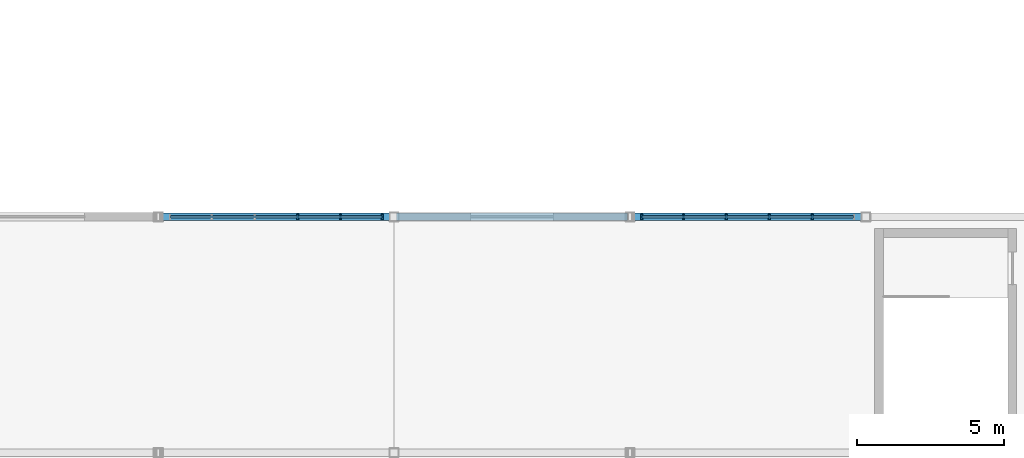
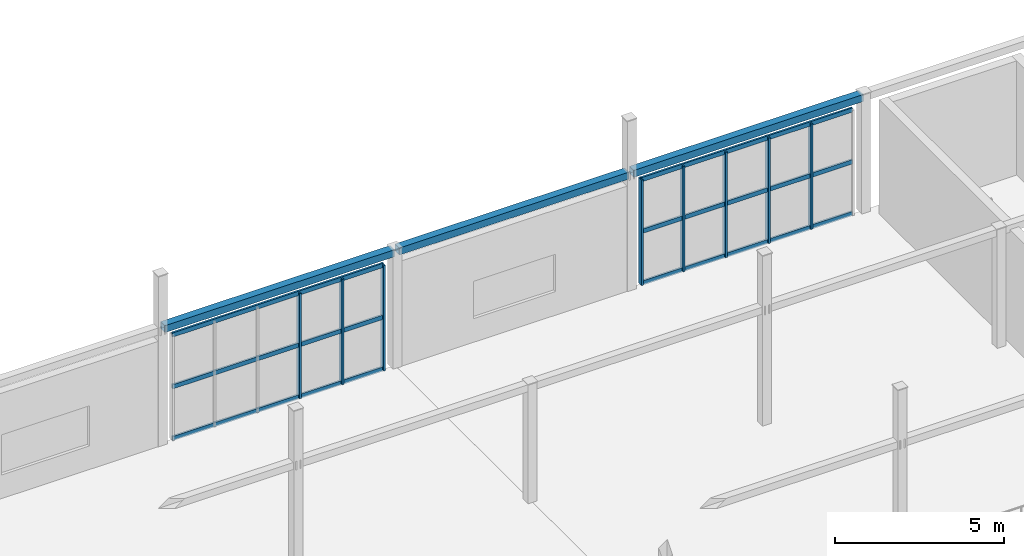
# One storey, part 30 of 83: 17 members, 2 elements without a shape of their own.
"""IFC4 building model written with IfcOpenShell, lengths in metres."""

from ifc_helpers import new_model, si_unit, direction, frame, origin, origin_2d, place, context, subcontext, project, spatial, rectangle, hollow_rectangle, extrude, material, material_profile, profile_set, type_object, element, aggregate, save


model = new_model("IFC4")

# Units and contexts
model_context = context("Model", 3, precision=1e-05, world=origin(), true_north=direction((0.0, 1.0)))
body_context = subcontext(model_context, "Body", "Model", "MODEL_VIEW")
ifc_project = project(units=[si_unit("LENGTHUNIT", "METRE"), si_unit("AREAUNIT", "SQUARE_METRE"), si_unit("VOLUMEUNIT", "CUBIC_METRE"), si_unit("PLANEANGLEUNIT", "RADIAN"), si_unit("MASSUNIT", "GRAM", prefix="KILO")], contexts=[model_context])

# Site, building, storey
site_placement = place(None, origin())
site = spatial("IfcSite", under=ifc_project, at=site_placement, CompositionType="ELEMENT")
building_placement = place(site_placement, origin())
building = spatial("IfcBuilding", under=site, at=building_placement, Name="Drelvath Fold Interchange", CompositionType="ELEMENT")
storey_placement = place(building_placement, frame((0.0, 0.0, 11.199951171875)))
storey = spatial("IfcBuildingStorey", under=building, at=storey_placement, Name="L02", CompositionType="ELEMENT", Elevation=11.199951171875)

# Members
ifc_material_1 = material(Name="Steel ASTM A500 Grade C", Category="steel")
ifc_material_profile_1 = material_profile(ifc_material_1, hollow_rectangle(XDim=0.25390625, YDim=0.25390625, WallThickness=0.01171875, at=origin_2d()), Name="HSS10X10X1/2")
ifc_profile_set_1 = profile_set([ifc_material_profile_1], Name="Steel ASTM A500 Grade C")
member_type_1 = type_object("IfcMemberType", Name="FP-CHD254", PredefinedType="CHORD", material=ifc_profile_set_1)
for number, where, z_axis, x_axis, name in (
    (1, (44.080078125, 99.0, 4.150146484375), (1.0, 0.0, 0.0), (0.0, 1.0, 0.0), "L02 Folded-plate roof truss tie chord FP-CHD254"),
    (2, (52.080078125, 99.0, 4.150146484375), (1.0, 0.0, 0.0), (0.0, 1.0, 0.0), "L02 Folded-plate roof truss tie chord FP-CHD254"),
    (3, (60.080078125, 99.0, 4.150146484375), (1.0, 0.0, 0.0), (0.0, 1.0, 0.0), "L02 Folded-plate roof truss tie chord FP-CHD254"),
):
    element("IfcMember", number, at=place(storey_placement, frame(where, z_axis=z_axis, x_axis=x_axis)), inside=storey, type_object=member_type_1, Name=name, PredefinedType="CHORD", context=body_context, shape_type="SweptSolid", body=[
        extrude(hollow_rectangle(XDim=0.25390625, YDim=0.25390625, WallThickness=0.01171875, at=origin_2d()), origin(), (0.0, 0.0, 1.0), 7.83984375),
    ])

# Curtain wall, members
ifc_material_2 = material(Name="Anodized Aluminium 6063-T6", Category="aluminium")
curtain_wall_type = type_object("IfcCurtainWallType", Name="CW-CON-440", PredefinedType="USERDEFINED", material=ifc_material_2)
curtain_wall_1_placement = place(storey_placement, origin())
curtain_wall_1 = element("IfcCurtainWall", 4, at=curtain_wall_1_placement, inside=storey, type_object=curtain_wall_type, Name="Curtain wall CW-V1-L02-N44", ObjectType="UNITISED CURTAIN WALL", PredefinedType="USERDEFINED")
ifc_material_profile_2 = material_profile(ifc_material_2, rectangle(XDim=0.06494140625, YDim=0.18994140625, at=origin_2d()), Name="AL-M 65x190")
ifc_profile_set_2 = profile_set([ifc_material_profile_2], Name="Anodized Aluminium 6063-T6")
member_type_2 = type_object("IfcMemberType", Name="ML-190", PredefinedType="MULLION", material=ifc_profile_set_2)
member_1_placement = place(storey_placement, frame((48.72802734375, 99.0, 0.0), z_axis=(0.0, 0.0, 1.0), x_axis=(1.0, 0.0, 0.0)))
member_1 = element("IfcMember", 5, at=member_1_placement, type_object=member_type_2, Name="CW-V1-L02-N44 mullion 3", PredefinedType="MULLION", context=body_context, shape_type="SweptSolid", body=[
    extrude(rectangle(XDim=0.06494140625, YDim=0.18994140625, at=origin_2d()), origin(), (0.0, 0.0, 1.0), 3.800048828125),
])
member_2_placement = place(storey_placement, frame((50.18408203125, 99.0, 0.0), z_axis=(0.0, 0.0, 1.0), x_axis=(1.0, 0.0, 0.0)))
member_2 = element("IfcMember", 6, at=member_2_placement, type_object=member_type_2, Name="CW-V1-L02-N44 mullion 4", PredefinedType="MULLION", context=body_context, shape_type="SweptSolid", body=[
    extrude(rectangle(XDim=0.06494140625, YDim=0.18994140625, at=origin_2d()), origin(), (0.0, 0.0, 1.0), 3.800048828125),
])
member_3_placement = place(storey_placement, frame((51.60009765625, 99.0, 0.0), z_axis=(0.0, 0.0, 1.0), x_axis=(1.0, 0.0, 0.0)))
member_3 = element("IfcMember", 7, at=member_3_placement, type_object=member_type_2, Name="CW-V1-L02-N44 mullion 5", PredefinedType="MULLION", context=body_context, shape_type="SweptSolid", body=[
    extrude(rectangle(XDim=0.06494140625, YDim=0.18994140625, at=origin_2d()), origin(), (0.0, 0.0, 1.0), 3.800048828125),
])

curtain_wall_2_placement = place(storey_placement, origin())
curtain_wall_2 = element("IfcCurtainWall", 8, at=curtain_wall_2_placement, inside=storey, type_object=curtain_wall_type, Name="Curtain wall CW-V1-L02-N60", ObjectType="UNITISED CURTAIN WALL", PredefinedType="USERDEFINED")
member_4_placement = place(storey_placement, frame((60.39990234375, 99.0, 0.0), z_axis=(0.0, 0.0, 1.0), x_axis=(1.0, 0.0, 0.0)))
member_4 = element("IfcMember", 9, at=member_4_placement, type_object=member_type_2, Name="CW-V1-L02-N60 mullion 0", PredefinedType="MULLION", context=body_context, shape_type="SweptSolid", body=[
    extrude(rectangle(XDim=0.06494140625, YDim=0.18994140625, at=origin_2d()), origin(), (0.0, 0.0, 1.0), 3.800048828125),
])
member_5_placement = place(storey_placement, frame((61.81591796875, 99.0, 0.0), z_axis=(0.0, 0.0, 1.0), x_axis=(1.0, 0.0, 0.0)))
member_5 = element("IfcMember", 10, at=member_5_placement, type_object=member_type_2, Name="CW-V1-L02-N60 mullion 1", PredefinedType="MULLION", context=body_context, shape_type="SweptSolid", body=[
    extrude(rectangle(XDim=0.06494140625, YDim=0.18994140625, at=origin_2d()), origin(), (0.0, 0.0, 1.0), 3.800048828125),
])
member_6_placement = place(storey_placement, frame((63.27197265625, 99.0, 0.0), z_axis=(0.0, 0.0, 1.0), x_axis=(1.0, 0.0, 0.0)))
member_6 = element("IfcMember", 11, at=member_6_placement, type_object=member_type_2, Name="CW-V1-L02-N60 mullion 2", PredefinedType="MULLION", context=body_context, shape_type="SweptSolid", body=[
    extrude(rectangle(XDim=0.06494140625, YDim=0.18994140625, at=origin_2d()), origin(), (0.0, 0.0, 1.0), 3.800048828125),
])
member_7_placement = place(storey_placement, frame((64.72802734375, 99.0, 0.0), z_axis=(0.0, 0.0, 1.0), x_axis=(1.0, 0.0, 0.0)))
member_7 = element("IfcMember", 12, at=member_7_placement, type_object=member_type_2, Name="CW-V1-L02-N60 mullion 3", PredefinedType="MULLION", context=body_context, shape_type="SweptSolid", body=[
    extrude(rectangle(XDim=0.06494140625, YDim=0.18994140625, at=origin_2d()), origin(), (0.0, 0.0, 1.0), 3.800048828125),
])
member_8_placement = place(storey_placement, frame((66.18408203125, 99.0, 0.0), z_axis=(0.0, 0.0, 1.0), x_axis=(1.0, 0.0, 0.0)))
member_8 = element("IfcMember", 13, at=member_8_placement, type_object=member_type_2, Name="CW-V1-L02-N60 mullion 4", PredefinedType="MULLION", context=body_context, shape_type="SweptSolid", body=[
    extrude(rectangle(XDim=0.06494140625, YDim=0.18994140625, at=origin_2d()), origin(), (0.0, 0.0, 1.0), 3.800048828125),
])

# Member
ifc_material_profile_3 = material_profile(ifc_material_2, rectangle(XDim=0.06494140625, YDim=0.155029296875, at=origin_2d()), Name="AL-T 65x155")
ifc_profile_set_3 = profile_set([ifc_material_profile_3], Name="Anodized Aluminium 6063-T6")
member_type_3 = type_object("IfcMemberType", Name="TR-155", PredefinedType="USERDEFINED", material=ifc_profile_set_3)
member_9_placement = place(storey_placement, frame((44.39990234375, 99.0, 0.030029296875), z_axis=(1.0, 0.0, 0.0), x_axis=(0.0, 1.0, 0.0)))
member_9 = element("IfcMember", 14, at=member_9_placement, type_object=member_type_3, Name="CW-V1-L02-N44 transom 0", ObjectType="TRANSOM", PredefinedType="USERDEFINED", context=body_context, shape_type="SweptSolid", body=[
    extrude(rectangle(XDim=0.06494140625, YDim=0.155029296875, at=origin_2d()), origin(), (0.0, 0.0, 1.0), 7.2001953125),
])

member_10_placement = place(storey_placement, frame((44.39990234375, 99.0, 1.900146484375), z_axis=(1.0, 0.0, 0.0), x_axis=(0.0, 1.0, 0.0)))
member_10 = element("IfcMember", 15, at=member_10_placement, type_object=member_type_3, Name="CW-V1-L02-N44 transom 1", ObjectType="TRANSOM", PredefinedType="USERDEFINED", context=body_context, shape_type="SweptSolid", body=[
    extrude(rectangle(XDim=0.06494140625, YDim=0.155029296875, at=origin_2d()), origin(), (0.0, 0.0, 1.0), 7.2001953125),
])

member_11_placement = place(storey_placement, frame((44.39990234375, 99.0, 3.77001953125), z_axis=(1.0, 0.0, 0.0), x_axis=(0.0, 1.0, 0.0)))
member_11 = element("IfcMember", 16, at=member_11_placement, type_object=member_type_3, Name="CW-V1-L02-N44 transom 2", ObjectType="TRANSOM", PredefinedType="USERDEFINED", context=body_context, shape_type="SweptSolid", body=[
    extrude(rectangle(XDim=0.06494140625, YDim=0.155029296875, at=origin_2d()), origin(), (0.0, 0.0, 1.0), 7.2001953125),
])

aggregate(curtain_wall_1, [member_1, member_2, member_3, member_9, member_10, member_11])

member_12_placement = place(storey_placement, frame((60.39990234375, 99.0, 0.030029296875), z_axis=(1.0, 0.0, 0.0), x_axis=(0.0, 1.0, 0.0)))
member_12 = element("IfcMember", 17, at=member_12_placement, type_object=member_type_3, Name="CW-V1-L02-N60 transom 0", ObjectType="TRANSOM", PredefinedType="USERDEFINED", context=body_context, shape_type="SweptSolid", body=[
    extrude(rectangle(XDim=0.06494140625, YDim=0.155029296875, at=origin_2d()), origin(), (0.0, 0.0, 1.0), 7.2001953125),
])

member_13_placement = place(storey_placement, frame((60.39990234375, 99.0, 1.900146484375), z_axis=(1.0, 0.0, 0.0), x_axis=(0.0, 1.0, 0.0)))
member_13 = element("IfcMember", 18, at=member_13_placement, type_object=member_type_3, Name="CW-V1-L02-N60 transom 1", ObjectType="TRANSOM", PredefinedType="USERDEFINED", context=body_context, shape_type="SweptSolid", body=[
    extrude(rectangle(XDim=0.06494140625, YDim=0.155029296875, at=origin_2d()), origin(), (0.0, 0.0, 1.0), 7.2001953125),
])

member_14_placement = place(storey_placement, frame((60.39990234375, 99.0, 3.77001953125), z_axis=(1.0, 0.0, 0.0), x_axis=(0.0, 1.0, 0.0)))
member_14 = element("IfcMember", 19, at=member_14_placement, type_object=member_type_3, Name="CW-V1-L02-N60 transom 2", ObjectType="TRANSOM", PredefinedType="USERDEFINED", context=body_context, shape_type="SweptSolid", body=[
    extrude(rectangle(XDim=0.06494140625, YDim=0.155029296875, at=origin_2d()), origin(), (0.0, 0.0, 1.0), 7.2001953125),
])

aggregate(curtain_wall_2, [member_4, member_5, member_6, member_7, member_8, member_12, member_13, member_14])

save(model, "model.ifc")
